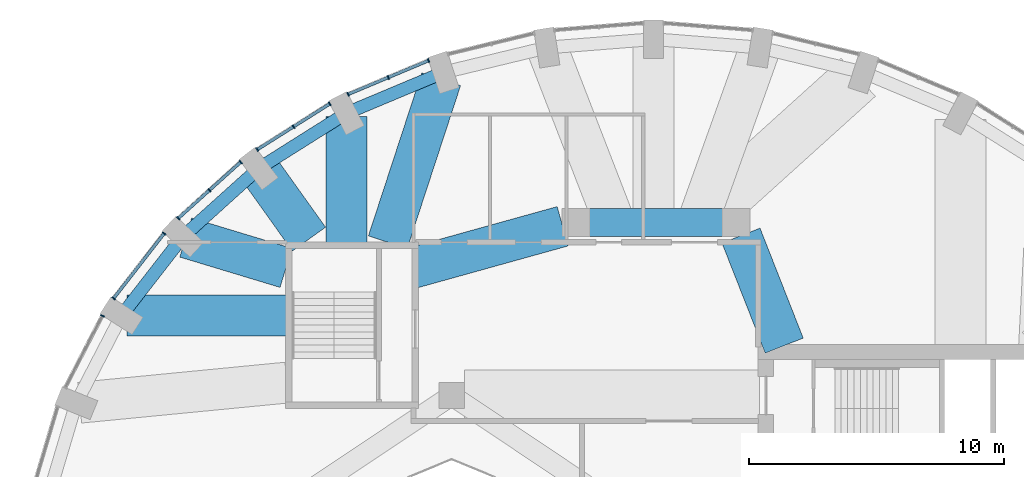
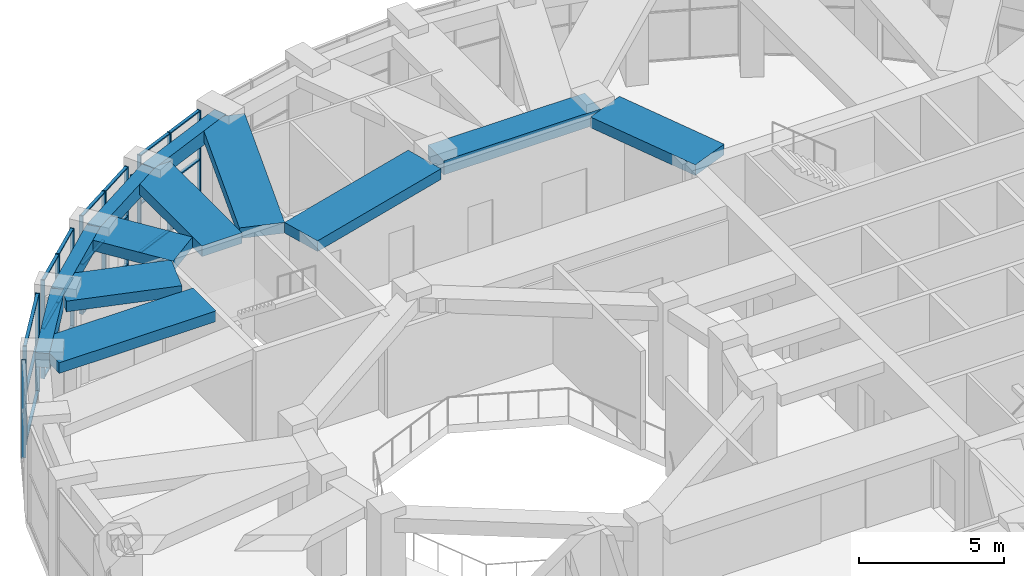
# One storey, part 8 of 17: 33 members, 12 beams, 5 elements without a shape of their own.
"""IFC4 building model written with IfcOpenShell, lengths in metres."""

import ifcopenshell
import ifcopenshell.guid

model = None  # the IFC model being written
_history = None  # IfcOwnerHistory: only IFC2X3 demands one
_inside = {}  # id of a spatial element -> (the spatial element, [elements in it])
_under = {}  # id of a project, library or spatial element -> (it, [spatial elements below it])
_declared = {}  # id of a project -> (the project, [libraries it declares])
_typed = {}  # id of a type object -> (the type object, [elements of that type])
_made_of = {}  # id of a material, layer set ... -> (it, [elements and type objects made of it])


def new_model(schema):
    """Start an empty IFC model of exactly this schema.

    Asked for "IFC4X3", IfcOpenShell would pick the latest addendum, in which some entities
    have other attributes; the version numbers below select the first issue.
    IFC2X3 requires an IfcOwnerHistory on every rooted entity: one is made here for all.
    """
    global model, _history
    if schema == "IFC4X3":
        model = ifcopenshell.file(schema_version=(4, 3, 0, 0))
    else:
        model = ifcopenshell.file(schema=schema)
    _inside.clear()
    _under.clear()
    _declared.clear()
    _typed.clear()
    _made_of.clear()
    _history = None
    if model.schema == "IFC2X3":
        org = make("IfcOrganization", Name="unknown")
        user = make(
            "IfcPersonAndOrganization",
            ThePerson=make("IfcPerson", FamilyName="unknown"),
            TheOrganization=org,
        )
        app = make(
            "IfcApplication",
            ApplicationDeveloper=org,
            Version="unknown",
            ApplicationFullName="unknown",
            ApplicationIdentifier="unknown",
        )
        _history = make(
            "IfcOwnerHistory",
            OwningUser=user,
            OwningApplication=app,
            ChangeAction="ADDED",
            CreationDate=0,
        )
    return model


def make(cls, **values):
    """One entity of the class cls with the attributes given. An attribute that is None is left unset."""
    return model.create_entity(
        cls, **{name: value for name, value in values.items() if value is not None}
    )


def rooted(cls, **values):
    """An entity with a GlobalId (a new one), such as an element, a storey or a relation."""
    return make(cls, GlobalId=ifcopenshell.guid.new(), OwnerHistory=_history, **values)


def si_unit(unit_type, name, prefix=None):
    """IfcSIUnit, for example si_unit("LENGTHUNIT", "METRE", prefix="MILLI")."""
    return make("IfcSIUnit", UnitType=unit_type, Prefix=prefix, Name=name)


def assignment(units):
    """IfcUnitAssignment: the units of a project."""
    return None if units is None else make("IfcUnitAssignment", Units=units)


def point(xyz):
    """IfcCartesianPoint."""
    return None if xyz is None else make("IfcCartesianPoint", Coordinates=xyz)


def direction(xyz):
    """IfcDirection."""
    return None if xyz is None else make("IfcDirection", DirectionRatios=xyz)


def frame(location, z_axis=None, x_axis=None):
    """IfcAxis2Placement3D, a coordinate frame: its origin and axes. An axis left out is left unset."""
    return make(
        "IfcAxis2Placement3D",
        Location=point(location),
        Axis=direction(z_axis),
        RefDirection=direction(x_axis),
    )


def frame_2d(location, x_axis=None):
    """IfcAxis2Placement2D, a coordinate frame in the plane: its origin and x axis."""
    return make(
        "IfcAxis2Placement2D", Location=point(location), RefDirection=direction(x_axis)
    )


def origin():
    """The frame at (0, 0, 0) with its axes left unset."""
    return frame((0.0, 0.0, 0.0))


def origin_2d():
    """The frame at (0, 0) in the plane with its x axis left unset."""
    return frame_2d((0.0, 0.0))


def place(relative_to, where):
    """IfcLocalPlacement: puts the frame where relative to a parent placement (None: the world)."""
    return make(
        "IfcLocalPlacement", PlacementRelTo=relative_to, RelativePlacement=where
    )


def context(
    kind, dimensions, precision=None, world=None, true_north=None, identifier=None
):
    """IfcGeometricRepresentationContext, for example the 3D "Model" context."""
    return make(
        "IfcGeometricRepresentationContext",
        ContextIdentifier=identifier,
        ContextType=kind,
        CoordinateSpaceDimension=dimensions,
        Precision=precision,
        WorldCoordinateSystem=world,
        TrueNorth=true_north,
    )


def subcontext(parent, identifier, kind, view, scale=None):
    """IfcGeometricRepresentationSubContext, for example "Body" below "Model"."""
    return make(
        "IfcGeometricRepresentationSubContext",
        ContextIdentifier=identifier,
        ContextType=kind,
        ParentContext=parent,
        TargetScale=scale,
        TargetView=view,
    )


def project(units=None, contexts=None):
    """IfcProject with its units and contexts."""
    return rooted(
        "IfcProject",
        Name="project",
        RepresentationContexts=contexts,
        UnitsInContext=assignment(units),
    )


def spatial(cls, under=None, at=None, **own):
    """A site, building, storey or space (cls), placed at a placement, below another one or the project."""
    s = rooted(cls, ObjectPlacement=at, **own)
    if under is not None:
        _under.setdefault(under.id(), (under, []))[1].append(s)
    return s


def profile(cls, at=None, kind="AREA", **sizes):
    """A parametric profile (cls). Its sizes go by their IFC names, for example OverallWidth=200.0."""
    return make(cls, ProfileType=kind, Position=at, **sizes)


def rectangle(**sizes):
    """IfcRectangleProfileDef."""
    return profile("IfcRectangleProfileDef", **sizes)


def extrude(swept, where, along, depth):
    """IfcExtrudedAreaSolid: the profile swept, set in the frame where, extruded along a direction by depth."""
    return make(
        "IfcExtrudedAreaSolid",
        SweptArea=swept,
        Position=where,
        ExtrudedDirection=direction(along),
        Depth=depth,
    )


def shape(context_of_items, identifier, shape_type, items):
    """IfcShapeRepresentation: the items that make up one representation, for example the "Body"."""
    return make(
        "IfcShapeRepresentation",
        ContextOfItems=context_of_items,
        RepresentationIdentifier=identifier,
        RepresentationType=shape_type,
        Items=items,
    )


def material(Name=None, Category=None):
    """IfcMaterial."""
    return make("IfcMaterial", Name=Name, Category=Category)


def material_profile(
    of_material, cross_section, Name=None, Category=None, Priority=None
):
    """IfcMaterialProfile: a cross section and its material."""
    return make(
        "IfcMaterialProfile",
        Name=Name,
        Material=of_material,
        Profile=cross_section,
        Priority=Priority,
        Category=Category,
    )


def profile_set(profiles, Name=None, composite=None):
    """IfcMaterialProfileSet."""
    return make(
        "IfcMaterialProfileSet",
        Name=Name,
        MaterialProfiles=profiles,
        CompositeProfile=composite,
    )


def made_of(thing, what):
    """Note that an element or type object is made of a material, layer set ...; save() writes the relation."""
    if what is not None:
        _made_of.setdefault(what.id(), (what, []))[1].append(thing)
    return thing


def type_object(cls, material=None, **own):
    """A type object (cls), such as IfcWallType, which elements share."""
    return made_of(rooted(cls, **own), material)


def element(
    cls,
    number,
    at=None,
    inside=None,
    cuts=None,
    type_object=None,
    material=None,
    context=None,
    identifier="Body",
    shape_type=None,
    held_by="IfcProductDefinitionShape",
    body=None,
    shapes=None,
    **own,
):
    """One element of the class cls, such as IfcWall. Its Tag is "e" and its number.

    at: its placement. inside: the storey or other place that contains it. cuts: it is an
    opening in that element (IfcRelVoidsElement). A single representation is given by context,
    identifier, shape_type and body (its items); several are given by shapes. held_by: the class
    of the entity that holds the representations. save() writes the other relations.
    """
    e = rooted(cls, Tag="e%d" % number, ObjectPlacement=at, **own)
    if body is not None:
        shapes = [shape(context, identifier, shape_type, body)]
    if shapes is not None:
        e.Representation = make(held_by, Representations=shapes)
    if inside is not None:
        _inside.setdefault(inside.id(), (inside, []))[1].append(e)
    if cuts is not None:
        rooted(
            "IfcRelVoidsElement", RelatingBuildingElement=cuts, RelatedOpeningElement=e
        )
    if type_object is not None:
        _typed.setdefault(type_object.id(), (type_object, []))[1].append(e)
    return made_of(e, material)


def aggregate(whole, parts):
    """IfcRelAggregates: a whole, such as a stair, and the parts it consists of."""
    return rooted("IfcRelAggregates", RelatingObject=whole, RelatedObjects=parts)


def save(model, path):
    """Write the relations noted so far, then the file.

    IfcRelAggregates (storeys below a building ...), IfcRelContainedInSpatialStructure (elements
    in a storey), IfcRelDefinesByType, IfcRelAssociatesMaterial and IfcRelDeclares: one each for
    every whole, place, type object, material and project.
    """
    for whole, parts in _under.values():
        aggregate(whole, parts)
    for where, things in _inside.values():
        rooted(
            "IfcRelContainedInSpatialStructure",
            RelatedElements=things,
            RelatingStructure=where,
        )
    for kind, things in _typed.values():
        rooted("IfcRelDefinesByType", RelatedObjects=things, RelatingType=kind)
    for what, things in _made_of.values():
        rooted("IfcRelAssociatesMaterial", RelatedObjects=things, RelatingMaterial=what)
    for by, libraries in _declared.values():
        rooted("IfcRelDeclares", RelatingContext=by, RelatedDefinitions=libraries)
    model.write(path)


model = new_model("IFC4")

# Units and contexts
model_context = context("Model", 3, precision=1e-05, world=origin(), true_north=direction((0.0, 1.0)))
body_context = subcontext(model_context, "Body", "Model", "MODEL_VIEW")
ifc_project = project(units=[si_unit("LENGTHUNIT", "METRE"), si_unit("AREAUNIT", "SQUARE_METRE"), si_unit("VOLUMEUNIT", "CUBIC_METRE"), si_unit("PLANEANGLEUNIT", "RADIAN"), si_unit("MASSUNIT", "GRAM", prefix="KILO")], contexts=[model_context])

# Site, building, storey
site_placement = place(None, origin())
site = spatial("IfcSite", under=ifc_project, at=site_placement, CompositionType="ELEMENT")
building_placement = place(site_placement, origin())
building = spatial("IfcBuilding", under=site, at=building_placement, Name="Taillehof Tower", CompositionType="ELEMENT")
storey_placement = place(building_placement, frame((0.0, 0.0, 259.699951171875)))
storey = spatial("IfcBuildingStorey", under=building, at=storey_placement, Name="L74", CompositionType="ELEMENT", Elevation=259.699951171875)

# Curtain wall, members
ifc_material_1 = material(Name="Aluminium curtain wall with Clear low-emissivity double glazing", Category="aluminium")
curtain_wall_type = type_object("IfcCurtainWallType", Name="Club lounge curtain wall", PredefinedType="USERDEFINED", material=ifc_material_1)
curtain_wall_1_placement = place(storey_placement, origin())
curtain_wall_1 = element("IfcCurtainWall", 1, at=curtain_wall_1_placement, inside=storey, type_object=curtain_wall_type, Name="Club lounge L74 bay 12", ObjectType="WINDOW WALL", PredefinedType="USERDEFINED")
ifc_material_2 = material(Name="Aluminium mullion", Category="aluminium")
ifc_material_profile_1 = material_profile(ifc_material_2, rectangle(XDim=0.159912109375, YDim=0.050048828125, at=origin_2d()), Name="AL 50x160")
ifc_profile_set_1 = profile_set([ifc_material_profile_1], Name="Aluminium mullion")
member_type_1 = type_object("IfcMemberType", Name="Club lounge mullion 50x160", PredefinedType="MULLION", material=ifc_profile_set_1)
member_1_placement = place(storey_placement, frame((-8.90625, 21.11376953125, 0.0), z_axis=(0.0, 0.0, 1.0), x_axis=(0.387100713636, -0.922037438233, 0.0)))
member_1 = element("IfcMember", 2, at=member_1_placement, type_object=member_type_1, Name="CT4E12 mullion 1", PredefinedType="MULLION", context=body_context, shape_type="SweptSolid", body=[
    extrude(rectangle(XDim=0.159912109375, YDim=0.050048828125, at=origin_2d()), origin(), (0.0, 0.0, 1.0), 4.150146484375),
])
member_2_placement = place(storey_placement, frame((-10.480712890625, 20.45263671875, 0.0), z_axis=(0.0, 0.0, 1.0), x_axis=(0.387100713636, -0.922037438233, 0.0)))
member_2 = element("IfcMember", 3, at=member_2_placement, type_object=member_type_1, Name="CT4E12 mullion 2", PredefinedType="MULLION", context=body_context, shape_type="SweptSolid", body=[
    extrude(rectangle(XDim=0.159912109375, YDim=0.050048828125, at=origin_2d()), origin(), (0.0, 0.0, 1.0), 4.150146484375),
])
member_3_placement = place(storey_placement, frame((-12.055419921875, 19.791748046875, 0.0), z_axis=(0.0, 0.0, 1.0), x_axis=(0.387100713636, -0.922037438233, 0.0)))
member_3 = element("IfcMember", 4, at=member_3_placement, type_object=member_type_1, Name="CT4E12 mullion 3", PredefinedType="MULLION", context=body_context, shape_type="SweptSolid", body=[
    extrude(rectangle(XDim=0.159912109375, YDim=0.050048828125, at=origin_2d()), origin(), (0.0, 0.0, 1.0), 4.150146484375),
])

curtain_wall_2_placement = place(storey_placement, origin())
curtain_wall_2 = element("IfcCurtainWall", 5, at=curtain_wall_2_placement, inside=storey, type_object=curtain_wall_type, Name="Club lounge L74 bay 13", ObjectType="WINDOW WALL", PredefinedType="USERDEFINED")
member_4_placement = place(storey_placement, frame((-12.773681640625, 19.417724609375, 0.0), z_axis=(0.0, 0.0, 1.0), x_axis=(0.533294430468, -0.845929695916, 0.0)))
member_4 = element("IfcMember", 6, at=member_4_placement, type_object=member_type_1, Name="CT4E13 mullion 1", PredefinedType="MULLION", context=body_context, shape_type="SweptSolid", body=[
    extrude(rectangle(XDim=0.159912109375, YDim=0.050048828125, at=origin_2d()), origin(), (0.0, 0.0, 1.0), 4.150146484375),
])
member_5_placement = place(storey_placement, frame((-14.193603515625, 18.5224609375, 0.0), z_axis=(0.0, 0.0, 1.0), x_axis=(0.533294430468, -0.845929695916, 0.0)))
member_5 = element("IfcMember", 7, at=member_5_placement, type_object=member_type_1, Name="CT4E13 mullion 2", PredefinedType="MULLION", context=body_context, shape_type="SweptSolid", body=[
    extrude(rectangle(XDim=0.159912109375, YDim=0.050048828125, at=origin_2d()), origin(), (0.0, 0.0, 1.0), 4.150146484375),
])
member_6_placement = place(storey_placement, frame((-15.613525390625, 17.62744140625, 0.0), z_axis=(0.0, 0.0, 1.0), x_axis=(0.533294430468, -0.845929695916, 0.0)))
member_6 = element("IfcMember", 8, at=member_6_placement, type_object=member_type_1, Name="CT4E13 mullion 3", PredefinedType="MULLION", context=body_context, shape_type="SweptSolid", body=[
    extrude(rectangle(XDim=0.159912109375, YDim=0.050048828125, at=origin_2d()), origin(), (0.0, 0.0, 1.0), 4.150146484375),
])

curtain_wall_3_placement = place(storey_placement, origin())
curtain_wall_3 = element("IfcCurtainWall", 9, at=curtain_wall_3_placement, inside=storey, type_object=curtain_wall_type, Name="Club lounge L74 bay 14", ObjectType="WINDOW WALL", PredefinedType="USERDEFINED")
member_7_placement = place(storey_placement, frame((-16.259521484375, 17.138671875, 0.0), z_axis=(0.0, 0.0, 1.0), x_axis=(0.669107157872, -0.74316593792, 0.0)))
member_7 = element("IfcMember", 10, at=member_7_placement, type_object=member_type_1, Name="CT4E14 mullion 1", PredefinedType="MULLION", context=body_context, shape_type="SweptSolid", body=[
    extrude(rectangle(XDim=0.159912109375, YDim=0.050048828125, at=origin_2d()), origin(), (0.0, 0.0, 1.0), 4.150146484375),
])
member_8_placement = place(storey_placement, frame((-17.48193359375, 16.0380859375, 0.0), z_axis=(0.0, 0.0, 1.0), x_axis=(0.669107157872, -0.74316593792, 0.0)))
member_8 = element("IfcMember", 11, at=member_8_placement, type_object=member_type_1, Name="CT4E14 mullion 2", PredefinedType="MULLION", context=body_context, shape_type="SweptSolid", body=[
    extrude(rectangle(XDim=0.159912109375, YDim=0.050048828125, at=origin_2d()), origin(), (0.0, 0.0, 1.0), 4.150146484375),
])
member_9_placement = place(storey_placement, frame((-18.70458984375, 14.937255859375, 0.0), z_axis=(0.0, 0.0, 1.0), x_axis=(0.669107157872, -0.74316593792, 0.0)))
member_9 = element("IfcMember", 12, at=member_9_placement, type_object=member_type_1, Name="CT4E14 mullion 3", PredefinedType="MULLION", context=body_context, shape_type="SweptSolid", body=[
    extrude(rectangle(XDim=0.159912109375, YDim=0.050048828125, at=origin_2d()), origin(), (0.0, 0.0, 1.0), 4.150146484375),
])

curtain_wall_4_placement = place(storey_placement, origin())
curtain_wall_4 = element("IfcCurtainWall", 13, at=curtain_wall_4_placement, inside=storey, type_object=curtain_wall_type, Name="Club lounge L74 bay 15", ObjectType="WINDOW WALL", PredefinedType="USERDEFINED")
member_10_placement = place(storey_placement, frame((-19.25634765625, 14.344482421875, 0.0), z_axis=(0.0, 0.0, 1.0), x_axis=(0.789381612432, -0.613902818005, 0.0)))
member_10 = element("IfcMember", 14, at=member_10_placement, type_object=member_type_1, Name="CT4E15 mullion 1", PredefinedType="MULLION", context=body_context, shape_type="SweptSolid", body=[
    extrude(rectangle(XDim=0.159912109375, YDim=0.050048828125, at=origin_2d()), origin(), (0.0, 0.0, 1.0), 4.150146484375),
])
member_11_placement = place(storey_placement, frame((-21.23388671875, 11.80126953125, 0.0), z_axis=(0.0, 0.0, 1.0), x_axis=(0.789381612432, -0.613902818005, 0.0)))
member_11 = element("IfcMember", 15, at=member_11_placement, type_object=member_type_1, Name="CT4E15 mullion 2", PredefinedType="MULLION", context=body_context, shape_type="SweptSolid", body=[
    extrude(rectangle(XDim=0.159912109375, YDim=0.050048828125, at=origin_2d()), origin(), (0.0, 0.0, 1.0), 4.150146484375),
])

# Curtain wall, member
curtain_wall_5_placement = place(storey_placement, origin())
curtain_wall_5 = element("IfcCurtainWall", 16, at=curtain_wall_5_placement, inside=storey, type_object=curtain_wall_type, Name="Club lounge L74 bay 16", ObjectType="WINDOW WALL", PredefinedType="USERDEFINED")
member_12_placement = place(storey_placement, frame((-21.670654296875, 11.119140625, 0.0), z_axis=(0.0, 0.0, 1.0), x_axis=(0.887975262702, -0.459891218474, 0.0)))
member_12 = element("IfcMember", 17, at=member_12_placement, type_object=member_type_1, Name="CT4E16 mullion 1", PredefinedType="MULLION", context=body_context, shape_type="SweptSolid", body=[
    extrude(rectangle(XDim=0.159912109375, YDim=0.050048828125, at=origin_2d()), origin(), (0.0, 0.0, 1.0), 4.150146484375),
])
aggregate(curtain_wall_5, [member_12])

# Member
ifc_material_3 = material(Name="Aluminium transom", Category="aluminium")
ifc_material_profile_2 = material_profile(ifc_material_3, rectangle(XDim=0.1201171875, YDim=0.050048828125, at=origin_2d()), Name="AL 120x50")
ifc_profile_set_2 = profile_set([ifc_material_profile_2], Name="Aluminium transom")
member_type_2 = type_object("IfcMemberType", Name="Club lounge transom 120x50", PredefinedType="USERDEFINED", material=ifc_profile_set_2)
member_13_placement = place(storey_placement, frame((-8.92919921875, 21.10400390625, 0.025146484375), z_axis=(-0.922067261449, -0.387029669875, 0.0), x_axis=(0.387029669875, -0.922067261449, 0.0)))
member_13 = element("IfcMember", 18, at=member_13_placement, type_object=member_type_2, Name="CT4E12 transom 1.1", ObjectType="TRANSOM", PredefinedType="USERDEFINED", context=body_context, shape_type="SweptSolid", body=[
    extrude(rectangle(XDim=0.1201171875, YDim=0.050048828125, at=origin_2d()), origin(), (0.0, 0.0, 1.0), 1.65771484375),
])

member_14_placement = place(storey_placement, frame((-8.92919921875, 21.10400390625, 2.074951171875), z_axis=(-0.922067261449, -0.387029669875, 0.0), x_axis=(0.387029669875, -0.922067261449, 0.0)))
member_14 = element("IfcMember", 19, at=member_14_placement, type_object=member_type_2, Name="CT4E12 transom 1.2", ObjectType="TRANSOM", PredefinedType="USERDEFINED", context=body_context, shape_type="SweptSolid", body=[
    extrude(rectangle(XDim=0.1201171875, YDim=0.050048828125, at=origin_2d()), origin(), (0.0, 0.0, 1.0), 1.65771484375),
])

member_15_placement = place(storey_placement, frame((-8.92919921875, 21.10400390625, 4.125), z_axis=(-0.922067261449, -0.387029669875, 0.0), x_axis=(0.387029669875, -0.922067261449, 0.0)))
member_15 = element("IfcMember", 20, at=member_15_placement, type_object=member_type_2, Name="CT4E12 transom 1.3", ObjectType="TRANSOM", PredefinedType="USERDEFINED", context=body_context, shape_type="SweptSolid", body=[
    extrude(rectangle(XDim=0.1201171875, YDim=0.050048828125, at=origin_2d()), origin(), (0.0, 0.0, 1.0), 1.65771484375),
])

member_16_placement = place(storey_placement, frame((-10.50390625, 20.443115234375, 0.025146484375), z_axis=(-0.921992621916, -0.387207444572, 0.0), x_axis=(0.387207444572, -0.921992621916, 0.0)))
member_16 = element("IfcMember", 21, at=member_16_placement, type_object=member_type_2, Name="CT4E12 transom 2.1", ObjectType="TRANSOM", PredefinedType="USERDEFINED", context=body_context, shape_type="SweptSolid", body=[
    extrude(rectangle(XDim=0.1201171875, YDim=0.050048828125, at=origin_2d()), origin(), (0.0, 0.0, 1.0), 1.65771484375),
])

member_17_placement = place(storey_placement, frame((-10.50390625, 20.443115234375, 2.074951171875), z_axis=(-0.921992621916, -0.387207444572, 0.0), x_axis=(0.387207444572, -0.921992621916, 0.0)))
member_17 = element("IfcMember", 22, at=member_17_placement, type_object=member_type_2, Name="CT4E12 transom 2.2", ObjectType="TRANSOM", PredefinedType="USERDEFINED", context=body_context, shape_type="SweptSolid", body=[
    extrude(rectangle(XDim=0.1201171875, YDim=0.050048828125, at=origin_2d()), origin(), (0.0, 0.0, 1.0), 1.65771484375),
])

member_18_placement = place(storey_placement, frame((-10.50390625, 20.443115234375, 4.125), z_axis=(-0.921992621916, -0.387207444572, 0.0), x_axis=(0.387207444572, -0.921992621916, 0.0)))
member_18 = element("IfcMember", 23, at=member_18_placement, type_object=member_type_2, Name="CT4E12 transom 2.3", ObjectType="TRANSOM", PredefinedType="USERDEFINED", context=body_context, shape_type="SweptSolid", body=[
    extrude(rectangle(XDim=0.1201171875, YDim=0.050048828125, at=origin_2d()), origin(), (0.0, 0.0, 1.0), 1.65771484375),
])

aggregate(curtain_wall_1, [member_1, member_2, member_3, member_13, member_14, member_15, member_16, member_17, member_18])

member_19_placement = place(storey_placement, frame((-12.794921875, 19.404296875, 0.025146484375), z_axis=(-0.845962356538, -0.533242619565, 0.0), x_axis=(0.533242619565, -0.845962356538, 0.0)))
member_19 = element("IfcMember", 24, at=member_19_placement, type_object=member_type_2, Name="CT4E13 transom 1.1", ObjectType="TRANSOM", PredefinedType="USERDEFINED", context=body_context, shape_type="SweptSolid", body=[
    extrude(rectangle(XDim=0.1201171875, YDim=0.050048828125, at=origin_2d()), origin(), (0.0, 0.0, 1.0), 1.628662109375),
])

member_20_placement = place(storey_placement, frame((-12.794921875, 19.404296875, 2.074951171875), z_axis=(-0.845962356538, -0.533242619565, 0.0), x_axis=(0.533242619565, -0.845962356538, 0.0)))
member_20 = element("IfcMember", 25, at=member_20_placement, type_object=member_type_2, Name="CT4E13 transom 1.2", ObjectType="TRANSOM", PredefinedType="USERDEFINED", context=body_context, shape_type="SweptSolid", body=[
    extrude(rectangle(XDim=0.1201171875, YDim=0.050048828125, at=origin_2d()), origin(), (0.0, 0.0, 1.0), 1.628662109375),
])

member_21_placement = place(storey_placement, frame((-12.794921875, 19.404296875, 4.125), z_axis=(-0.845962356538, -0.533242619565, 0.0), x_axis=(0.533242619565, -0.845962356538, 0.0)))
member_21 = element("IfcMember", 26, at=member_21_placement, type_object=member_type_2, Name="CT4E13 transom 1.3", ObjectType="TRANSOM", PredefinedType="USERDEFINED", context=body_context, shape_type="SweptSolid", body=[
    extrude(rectangle(XDim=0.1201171875, YDim=0.050048828125, at=origin_2d()), origin(), (0.0, 0.0, 1.0), 1.628662109375),
])

member_22_placement = place(storey_placement, frame((-14.21484375, 18.50927734375, 0.025146484375), z_axis=(-0.845894728647, -0.533349892704, 0.0), x_axis=(0.533349892704, -0.845894728647, 0.0)))
member_22 = element("IfcMember", 27, at=member_22_placement, type_object=member_type_2, Name="CT4E13 transom 2.1", ObjectType="TRANSOM", PredefinedType="USERDEFINED", context=body_context, shape_type="SweptSolid", body=[
    extrude(rectangle(XDim=0.1201171875, YDim=0.050048828125, at=origin_2d()), origin(), (0.0, 0.0, 1.0), 1.628662109375),
])

member_23_placement = place(storey_placement, frame((-14.21484375, 18.50927734375, 2.074951171875), z_axis=(-0.845894728647, -0.533349892704, 0.0), x_axis=(0.533349892704, -0.845894728647, 0.0)))
member_23 = element("IfcMember", 28, at=member_23_placement, type_object=member_type_2, Name="CT4E13 transom 2.2", ObjectType="TRANSOM", PredefinedType="USERDEFINED", context=body_context, shape_type="SweptSolid", body=[
    extrude(rectangle(XDim=0.1201171875, YDim=0.050048828125, at=origin_2d()), origin(), (0.0, 0.0, 1.0), 1.628662109375),
])

member_24_placement = place(storey_placement, frame((-14.21484375, 18.50927734375, 4.125), z_axis=(-0.845894728647, -0.533349892704, 0.0), x_axis=(0.533349892704, -0.845894728647, 0.0)))
member_24 = element("IfcMember", 29, at=member_24_placement, type_object=member_type_2, Name="CT4E13 transom 2.3", ObjectType="TRANSOM", PredefinedType="USERDEFINED", context=body_context, shape_type="SweptSolid", body=[
    extrude(rectangle(XDim=0.1201171875, YDim=0.050048828125, at=origin_2d()), origin(), (0.0, 0.0, 1.0), 1.628662109375),
])

aggregate(curtain_wall_2, [member_4, member_5, member_6, member_19, member_20, member_21, member_22, member_23, member_24])

member_25_placement = place(storey_placement, frame((-16.278076171875, 17.121826171875, 0.025146484375), z_axis=(-0.743179963332, -0.669091579757, 0.0), x_axis=(0.669091579757, -0.743179963332, 0.0)))
member_25 = element("IfcMember", 30, at=member_25_placement, type_object=member_type_2, Name="CT4E14 transom 1.1", ObjectType="TRANSOM", PredefinedType="USERDEFINED", context=body_context, shape_type="SweptSolid", body=[
    extrude(rectangle(XDim=0.1201171875, YDim=0.050048828125, at=origin_2d()), origin(), (0.0, 0.0, 1.0), 1.594970703125),
])

member_26_placement = place(storey_placement, frame((-16.278076171875, 17.121826171875, 2.074951171875), z_axis=(-0.743179963332, -0.669091579757, 0.0), x_axis=(0.669091579757, -0.743179963332, 0.0)))
member_26 = element("IfcMember", 31, at=member_26_placement, type_object=member_type_2, Name="CT4E14 transom 1.2", ObjectType="TRANSOM", PredefinedType="USERDEFINED", context=body_context, shape_type="SweptSolid", body=[
    extrude(rectangle(XDim=0.1201171875, YDim=0.050048828125, at=origin_2d()), origin(), (0.0, 0.0, 1.0), 1.594970703125),
])

member_27_placement = place(storey_placement, frame((-16.278076171875, 17.121826171875, 4.125), z_axis=(-0.743179963332, -0.669091579757, 0.0), x_axis=(0.669091579757, -0.743179963332, 0.0)))
member_27 = element("IfcMember", 32, at=member_27_placement, type_object=member_type_2, Name="CT4E14 transom 1.3", ObjectType="TRANSOM", PredefinedType="USERDEFINED", context=body_context, shape_type="SweptSolid", body=[
    extrude(rectangle(XDim=0.1201171875, YDim=0.050048828125, at=origin_2d()), origin(), (0.0, 0.0, 1.0), 1.594970703125),
])

member_28_placement = place(storey_placement, frame((-17.50048828125, 16.021240234375, 0.025146484375), z_axis=(-0.743179963332, -0.669091579757, 0.0), x_axis=(0.669091579757, -0.743179963332, 0.0)))
member_28 = element("IfcMember", 33, at=member_28_placement, type_object=member_type_2, Name="CT4E14 transom 2.1", ObjectType="TRANSOM", PredefinedType="USERDEFINED", context=body_context, shape_type="SweptSolid", body=[
    extrude(rectangle(XDim=0.1201171875, YDim=0.050048828125, at=origin_2d()), origin(), (0.0, 0.0, 1.0), 1.594970703125),
])

member_29_placement = place(storey_placement, frame((-17.50048828125, 16.021240234375, 2.074951171875), z_axis=(-0.743179963332, -0.669091579757, 0.0), x_axis=(0.669091579757, -0.743179963332, 0.0)))
member_29 = element("IfcMember", 34, at=member_29_placement, type_object=member_type_2, Name="CT4E14 transom 2.2", ObjectType="TRANSOM", PredefinedType="USERDEFINED", context=body_context, shape_type="SweptSolid", body=[
    extrude(rectangle(XDim=0.1201171875, YDim=0.050048828125, at=origin_2d()), origin(), (0.0, 0.0, 1.0), 1.594970703125),
])

member_30_placement = place(storey_placement, frame((-17.50048828125, 16.021240234375, 4.125), z_axis=(-0.743179963332, -0.669091579757, 0.0), x_axis=(0.669091579757, -0.743179963332, 0.0)))
member_30 = element("IfcMember", 35, at=member_30_placement, type_object=member_type_2, Name="CT4E14 transom 2.3", ObjectType="TRANSOM", PredefinedType="USERDEFINED", context=body_context, shape_type="SweptSolid", body=[
    extrude(rectangle(XDim=0.1201171875, YDim=0.050048828125, at=origin_2d()), origin(), (0.0, 0.0, 1.0), 1.594970703125),
])

aggregate(curtain_wall_3, [member_7, member_8, member_9, member_25, member_26, member_27, member_28, member_29, member_30])

member_31_placement = place(storey_placement, frame((-19.271484375, 14.32470703125, 0.025146484375), z_axis=(-0.613935284613, -0.789356362049, 0.0), x_axis=(0.789356362049, -0.613935284613, 0.0)))
member_31 = element("IfcMember", 36, at=member_31_placement, type_object=member_type_2, Name="CT4E15 transom 1.1", ObjectType="TRANSOM", PredefinedType="USERDEFINED", context=body_context, shape_type="SweptSolid", body=[
    extrude(rectangle(XDim=0.1201171875, YDim=0.050048828125, at=origin_2d()), origin(), (0.0, 0.0, 1.0), 3.171875),
])

member_32_placement = place(storey_placement, frame((-19.271484375, 14.32470703125, 2.074951171875), z_axis=(-0.613935284613, -0.789356362049, 0.0), x_axis=(0.789356362049, -0.613935284613, 0.0)))
member_32 = element("IfcMember", 37, at=member_32_placement, type_object=member_type_2, Name="CT4E15 transom 1.2", ObjectType="TRANSOM", PredefinedType="USERDEFINED", context=body_context, shape_type="SweptSolid", body=[
    extrude(rectangle(XDim=0.1201171875, YDim=0.050048828125, at=origin_2d()), origin(), (0.0, 0.0, 1.0), 3.171875),
])

member_33_placement = place(storey_placement, frame((-19.271484375, 14.32470703125, 4.125), z_axis=(-0.613935284613, -0.789356362049, 0.0), x_axis=(0.789356362049, -0.613935284613, 0.0)))
member_33 = element("IfcMember", 38, at=member_33_placement, type_object=member_type_2, Name="CT4E15 transom 1.3", ObjectType="TRANSOM", PredefinedType="USERDEFINED", context=body_context, shape_type="SweptSolid", body=[
    extrude(rectangle(XDim=0.1201171875, YDim=0.050048828125, at=origin_2d()), origin(), (0.0, 0.0, 1.0), 3.171875),
])

aggregate(curtain_wall_4, [member_10, member_11, member_31, member_32, member_33])

# Beams
ifc_material_4 = material(Name="Concrete C50/60", Category="concrete")
ifc_material_profile_3 = material_profile(ifc_material_4, rectangle(XDim=1.10009765625, YDim=0.60009765625, at=origin_2d()), Name="RC 1100x600")
ifc_profile_set_3 = profile_set([ifc_material_profile_3], Name="Concrete C50/60")
beam_type_1 = type_object("IfcBeamType", Name="Mid-ring beam C50/60 1100x600", PredefinedType="BEAM", material=ifc_profile_set_3)
beam_1_placement = place(storey_placement, frame((3.125732421875, 14.772216796875, 3.85009765625), z_axis=(-1.0, 0.0, 0.0), x_axis=(0.0, -1.0, 0.0)))
element("IfcBeam", 39, at=beam_1_placement, inside=storey, type_object=beam_type_1, Name="Mid-ring beam MB01", PredefinedType="BEAM", context=body_context, shape_type="SweptSolid", body=[
    extrude(rectangle(XDim=1.10009765625, YDim=0.60009765625, at=origin_2d()), origin(), (0.0, 0.0, 1.0), 6.25146484375),
])
ifc_material_5 = material(Name="Concrete C50/60", Category="concrete")
ifc_material_profile_4 = material_profile(ifc_material_5, rectangle(XDim=1.60009765625, YDim=0.449951171875, at=origin_2d()), Name="RC 1600x450")
ifc_profile_set_4 = profile_set([ifc_material_profile_4], Name="Concrete C50/60")
beam_type_2 = type_object("IfcBeamType", Name="Radial band beam C50/60 1600x450", PredefinedType="BEAM", material=ifc_profile_set_4)
beam_2_placement = place(storey_placement, frame((-8.41162109375, 20.38134765625, 3.925048828125), z_axis=(-0.311042642597, -0.950395956687, 0.0), x_axis=(0.950395956687, -0.311042642597, 0.0)))
element("IfcBeam", 40, at=beam_2_placement, inside=storey, type_object=beam_type_2, Name="Radial band beam RB12", PredefinedType="BEAM", context=body_context, shape_type="SweptSolid", body=[
    extrude(rectangle(XDim=1.60009765625, YDim=0.449951171875, at=origin_2d()), origin(), (0.0, 0.0, 1.0), 6.715576171875),
])
beam_3_placement = place(storey_placement, frame((-12.125, 18.91552734375, 3.925048828125), z_axis=(0.0, -1.0, 0.0), x_axis=(1.0, 0.0, 0.0)))
element("IfcBeam", 41, at=beam_3_placement, inside=storey, type_object=beam_type_2, Name="Radial band beam RB13", PredefinedType="BEAM", context=body_context, shape_type="SweptSolid", body=[
    extrude(rectangle(XDim=1.60009765625, YDim=0.449951171875, at=origin_2d()), origin(), (0.0, 0.0, 1.0), 4.965576171875),
])
beam_4_placement = place(storey_placement, frame((-15.55908203125, 16.884765625, 3.925048828125), z_axis=(0.580959197129, -0.813932682272, 0.0), x_axis=(0.813932682272, 0.580959197129, 0.0)))
element("IfcBeam", 42, at=beam_4_placement, inside=storey, type_object=beam_type_2, Name="Radial band beam RB14", PredefinedType="BEAM", context=body_context, shape_type="SweptSolid", body=[
    extrude(rectangle(XDim=1.60009765625, YDim=0.449951171875, at=origin_2d()), origin(), (0.0, 0.0, 1.0), 3.394287109375),
])
beam_5_placement = place(storey_placement, frame((-18.413818359375, 14.18310546875, 3.925048828125), z_axis=(0.957221394865, -0.289356529584, 0.0), x_axis=(0.289356529584, 0.957221394865, 0.0)))
element("IfcBeam", 43, at=beam_5_placement, inside=storey, type_object=beam_type_2, Name="Radial band beam RB15", PredefinedType="BEAM", context=body_context, shape_type="SweptSolid", body=[
    extrude(rectangle(XDim=1.60009765625, YDim=0.449951171875, at=origin_2d()), origin(), (0.0, 0.0, 1.0), 4.102294921875),
])
beam_6_placement = place(storey_placement, frame((-20.7119140625, 11.125, 3.925048828125), z_axis=(1.0, 0.0, 0.0), x_axis=(0.0, 1.0, 0.0)))
element("IfcBeam", 44, at=beam_6_placement, inside=storey, type_object=beam_type_2, Name="Radial band beam RB16", PredefinedType="BEAM", context=body_context, shape_type="SweptSolid", body=[
    extrude(rectangle(XDim=1.60009765625, YDim=0.449951171875, at=origin_2d()), origin(), (0.0, 0.0, 1.0), 6.261962890625),
])
beam_7_placement = place(storey_placement, frame((3.32666015625, 14.26025390625, 3.925048828125), z_axis=(0.365588707223, -0.930776502255, 0.0), x_axis=(0.930776502255, 0.365588707223, 0.0)))
element("IfcBeam", 45, at=beam_7_placement, inside=storey, type_object=beam_type_2, Name="Inner band beam IB205", PredefinedType="BEAM", context=body_context, shape_type="SweptSolid", body=[
    extrude(rectangle(XDim=1.60009765625, YDim=0.449951171875, at=origin_2d()), origin(), (0.0, 0.0, 1.0), 4.627197265625),
])
beam_8_placement = place(storey_placement, frame((-3.655517578125, 14.624755859375, 3.925048828125), z_axis=(-0.963459369536, -0.267854518821, 0.0), x_axis=(0.267854518821, -0.963459369536, 0.0)))
element("IfcBeam", 46, at=beam_8_placement, inside=storey, type_object=beam_type_2, Name="Inner band beam IB206", PredefinedType="BEAM", context=body_context, shape_type="SweptSolid", body=[
    extrude(rectangle(XDim=1.60009765625, YDim=0.449951171875, at=origin_2d()), origin(), (0.0, 0.0, 1.0), 6.096923828125),
])
ifc_material_6 = material(Name="Concrete C50/60", Category="concrete")
ifc_material_profile_5 = material_profile(ifc_material_6, rectangle(XDim=0.5, YDim=0.60009765625, at=origin_2d()), Name="RC 500x600")
ifc_profile_set_5 = profile_set([ifc_material_profile_5], Name="Concrete C50/60")
beam_type_3 = type_object("IfcBeamType", Name="Spandrel beam C50/60 500x600", PredefinedType="SPANDREL", material=ifc_profile_set_5)
beam_9_placement = place(storey_placement, frame((-8.32568359375, 20.644287109375, 3.85009765625), z_axis=(-0.922067545136, -0.387028994013, 0.0), x_axis=(0.387028994013, -0.922067545136, 0.0)))
element("IfcBeam", 47, at=beam_9_placement, inside=storey, type_object=beam_type_3, Name="Spandrel beam SB12", PredefinedType="SPANDREL", context=body_context, shape_type="SweptSolid", body=[
    extrude(rectangle(XDim=0.5, YDim=0.60009765625, at=origin_2d()), origin(), (0.0, 0.0, 1.0), 4.120361328125),
])
beam_10_placement = place(storey_placement, frame((-12.125, 19.049560546875, 3.85009765625), z_axis=(-0.845944476237, -0.5332709847, 0.0), x_axis=(0.5332709847, -0.845944476237, 0.0)))
element("IfcBeam", 48, at=beam_10_placement, inside=storey, type_object=beam_type_3, Name="Spandrel beam SB13", PredefinedType="SPANDREL", context=body_context, shape_type="SweptSolid", body=[
    extrude(rectangle(XDim=0.5, YDim=0.60009765625, at=origin_2d()), origin(), (0.0, 0.0, 1.0), 4.0595703125),
])
beam_11_placement = place(storey_placement, frame((-15.55908203125, 16.884765625, 3.85009765625), z_axis=(-0.743227182134, -0.669039128704, 0.0), x_axis=(0.669039128704, -0.743227182134, 0.0)))
element("IfcBeam", 49, at=beam_11_placement, inside=storey, type_object=beam_type_3, Name="Spandrel beam SB14", PredefinedType="SPANDREL", context=body_context, shape_type="SweptSolid", body=[
    extrude(rectangle(XDim=0.5, YDim=0.60009765625, at=origin_2d()), origin(), (0.0, 0.0, 1.0), 3.988525390625),
])
beam_12_placement = place(storey_placement, frame((-18.5234375, 14.21630859375, 3.85009765625), z_axis=(-0.613970823209, -0.78932872002, 0.0), x_axis=(0.78932872002, -0.613970823209, 0.0)))
element("IfcBeam", 50, at=beam_12_placement, inside=storey, type_object=beam_type_3, Name="Spandrel beam SB15", PredefinedType="SPANDREL", context=body_context, shape_type="SweptSolid", body=[
    extrude(rectangle(XDim=0.5, YDim=0.60009765625, at=origin_2d()), origin(), (0.0, 0.0, 1.0), 3.916259765625),
])

save(model, "model.ifc")
